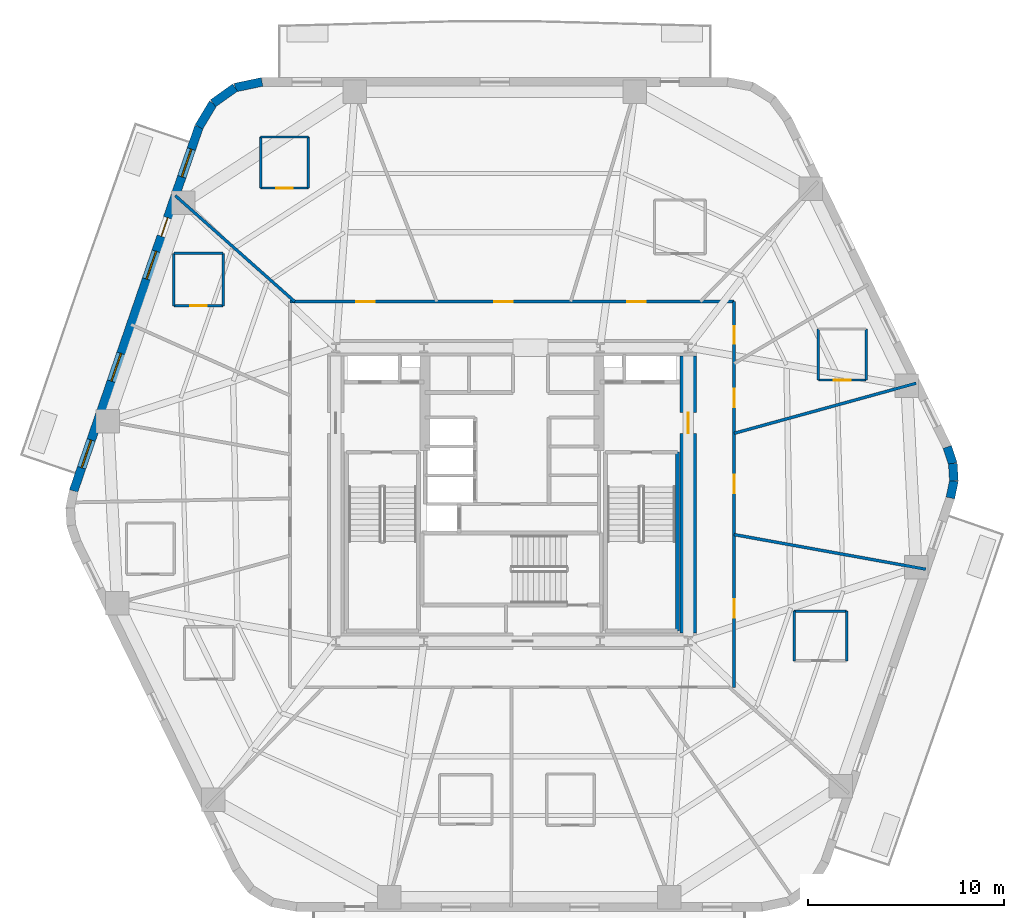
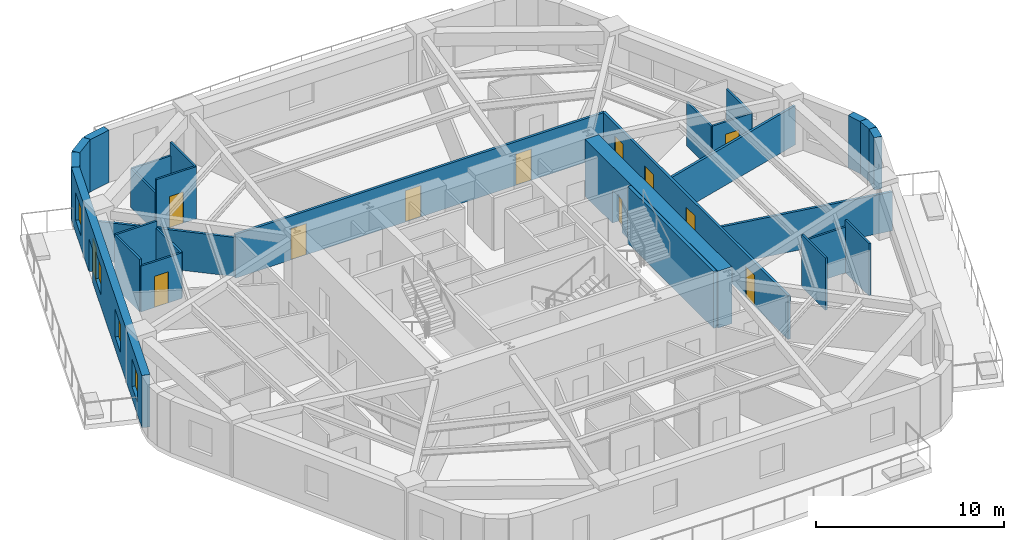
# One storey, part 5 of 8: 28 walls, 12 doors, 4 windows, 16 openings.
"""IFC4 building model written with IfcOpenShell, lengths in metres."""

from ifc_helpers import new_model, si_unit, direction, frame, frame_2d, origin, place, context, subcontext, project, spatial, rectangle, extrude, material, layer, layer_set, type_object, element, fill, save


model = new_model("IFC4")

# Units and contexts
model_context = context("Model", 3, precision=1e-05, world=origin(), true_north=direction((0.0, 1.0)))
body_context = subcontext(model_context, "Body", "Model", "MODEL_VIEW")
ifc_project = project(units=[si_unit("LENGTHUNIT", "METRE"), si_unit("AREAUNIT", "SQUARE_METRE"), si_unit("VOLUMEUNIT", "CUBIC_METRE"), si_unit("PLANEANGLEUNIT", "RADIAN"), si_unit("MASSUNIT", "GRAM", prefix="KILO")], contexts=[model_context])

# Site, building, storey
site_placement = place(None, origin())
site = spatial("IfcSite", under=ifc_project, at=site_placement, CompositionType="ELEMENT")
building_placement = place(site_placement, origin())
building = spatial("IfcBuilding", under=site, at=building_placement, Name="Kilnhurst Terrace Hotel", CompositionType="ELEMENT")
storey_placement = place(building_placement, frame((0.0, 0.0, 102.5)))
storey = spatial("IfcBuildingStorey", under=building, at=storey_placement, Name="L24", CompositionType="ELEMENT", Elevation=102.5)

# Walls
ifc_material_1 = material(Name="Precast concrete C40/50", Category="concrete")
ifc_layer_1 = layer(ifc_material_1, 0.449951171875, Name="Precast concrete C40/50")
ifc_layer_set_1 = layer_set([ifc_layer_1], Name="Precast concrete C40/50")
wall_type_1 = type_object("IfcWallType", Name="WL-BRK-450", PredefinedType="SOLIDWALL", material=ifc_layer_set_1)
wall_1_placement = place(storey_placement, frame((22.39697265625, -0.17919921875, 0.0), z_axis=(0.0, 0.0, 1.0), x_axis=(0.199313589404, 0.979935759669, 0.0)))
element("IfcWall", 1, at=wall_1_placement, inside=storey, type_object=wall_type_1, Name="L24 Rounded Corner Brick Wall C3.1", PredefinedType="SOLIDWALL", context=body_context, shape_type="SweptSolid", body=[
    extrude(rectangle(XDim=0.8955078125, YDim=0.449951171875, at=frame_2d((0.44775390625, 0.0))), origin(), (0.0, 0.0, 1.0), 3.39990234375),
])
wall_2_placement = place(storey_placement, frame((22.575439453125, 0.6982421875, 0.0), z_axis=(0.0, 0.0, 1.0), x_axis=(-0.060980441946, 0.998138961117, 0.0)))
element("IfcWall", 2, at=wall_2_placement, inside=storey, type_object=wall_type_1, Name="L24 Rounded Corner Brick Wall C3.2", PredefinedType="SOLIDWALL", context=body_context, shape_type="SweptSolid", body=[
    extrude(rectangle(XDim=0.880859375, YDim=0.449951171875, at=frame_2d((0.4404296875, 0.0))), origin(), (0.0, 0.0, 1.0), 3.39990234375),
])
wall_3_placement = place(storey_placement, frame((22.521728515625, 1.577392578125, 0.0), z_axis=(0.0, 0.0, 1.0), x_axis=(-0.317372694837, 0.948300887151, 0.0)))
element("IfcWall", 3, at=wall_3_placement, inside=storey, type_object=wall_type_1, Name="L24 Rounded Corner Brick Wall C3.3", PredefinedType="SOLIDWALL", context=body_context, shape_type="SweptSolid", body=[
    extrude(rectangle(XDim=0.8955078125, YDim=0.449951171875, at=frame_2d((0.44775390625, 0.0))), origin(), (0.0, 0.0, 1.0), 3.39990234375),
])
wall_4_placement = place(storey_placement, frame((-12.7705078125, 21.074951171875, 0.0), z_axis=(0.0, 0.0, 1.0), x_axis=(-0.97874281988, -0.205091424819, 0.0)))
element("IfcWall", 4, at=wall_4_placement, inside=storey, type_object=wall_type_1, Name="L24 Rounded Corner Brick Wall C5.1", PredefinedType="SOLIDWALL", context=body_context, shape_type="SweptSolid", body=[
    extrude(rectangle(XDim=1.40576171875, YDim=0.449951171875, at=frame_2d((0.702880859375, 0.0))), origin(), (0.0, 0.0, 1.0), 3.39990234375),
])
wall_5_placement = place(storey_placement, frame((-14.146484375, 20.78662109375, 0.0), z_axis=(0.0, 0.0, 1.0), x_axis=(-0.814162929117, -0.580636482536, 0.0)))
element("IfcWall", 5, at=wall_5_placement, inside=storey, type_object=wall_type_1, Name="L24 Rounded Corner Brick Wall C5.2", PredefinedType="SOLIDWALL", context=body_context, shape_type="SweptSolid", body=[
    extrude(rectangle(XDim=1.382080078125, YDim=0.449951171875, at=frame_2d((0.69091796875, 0.0))), origin(), (0.0, 0.0, 1.0), 3.39990234375),
])
wall_6_placement = place(storey_placement, frame((-15.271728515625, 19.984130859375, 0.0), z_axis=(0.0, 0.0, 1.0), x_axis=(-0.512579347361, -0.858639862025, 0.0)))
element("IfcWall", 6, at=wall_6_placement, inside=storey, type_object=wall_type_1, Name="L24 Rounded Corner Brick Wall C5.3", PredefinedType="SOLIDWALL", context=body_context, shape_type="SweptSolid", body=[
    extrude(rectangle(XDim=1.406005859375, YDim=0.449951171875, at=frame_2d((0.703125, 0.0))), origin(), (0.0, 0.0, 1.0), 3.39990234375),
])

# Wall, openings, door, windows
wall_7_placement = place(storey_placement, frame((-15.992431640625, 18.77685546875, 0.0), z_axis=(0.0, 0.0, 1.0), x_axis=(-0.325606988926, -0.945505202927, 0.0)))
wall_7 = element("IfcWall", 7, at=wall_7_placement, inside=storey, type_object=wall_type_1, Name="L24 Exterior Brick Facade Wall F5", PredefinedType="SOLIDWALL", context=body_context, shape_type="SweptSolid", body=[
    extrude(rectangle(XDim=19.66943359375, YDim=0.449951171875, at=frame_2d((9.834716796875, 0.0))), origin(), (0.0, 0.0, 1.0), 3.39990234375),
])
opening_1_placement = place(wall_7_placement, frame((4.908935546875, 0.0, 0.0)))
opening_1 = element("IfcOpeningElement", 8, at=opening_1_placement, cuts=wall_7, Name="Opening BD-1000", PredefinedType="OPENING", context=body_context, shape_type="SweptSolid", body=[
    extrude(rectangle(XDim=1.0, YDim=2.14990234375, at=frame_2d((0.5, 1.074951171875))), frame((0.0, 0.23486328125, 0.0), z_axis=(0.0, -1.0, 0.0), x_axis=(1.0, 0.0, 0.0)), (0.0, 0.0, 1.0), 0.469970703125),
])
opening_2_placement = place(wall_7_placement, frame((1.197021484375, 0.0, 0.800048828125)))
opening_2 = element("IfcOpeningElement", 9, at=opening_2_placement, cuts=wall_7, Name="Opening W-02", PredefinedType="OPENING", context=body_context, shape_type="SweptSolid", body=[
    extrude(rectangle(XDim=1.5, YDim=1.800048828125, at=frame_2d((0.75, 0.89990234375))), frame((0.0, 0.23486328125, 0.0), z_axis=(0.0, -1.0, 0.0), x_axis=(1.0, 0.0, 0.0)), (0.0, 0.0, 1.0), 0.469970703125),
])
opening_3_placement = place(wall_7_placement, frame((6.719970703125, 0.0, 0.800048828125)))
opening_3 = element("IfcOpeningElement", 10, at=opening_3_placement, cuts=wall_7, Name="Opening W-02", PredefinedType="OPENING", context=body_context, shape_type="SweptSolid", body=[
    extrude(rectangle(XDim=1.5, YDim=1.800048828125, at=frame_2d((0.75, 0.89990234375))), frame((0.0, 0.23486328125, 0.0), z_axis=(0.0, -1.0, 0.0), x_axis=(1.0, 0.0, 0.0)), (0.0, 0.0, 1.0), 0.469970703125),
])
opening_4_placement = place(wall_7_placement, frame((12.238037109375, 0.0, 0.800048828125)))
opening_4 = element("IfcOpeningElement", 11, at=opening_4_placement, cuts=wall_7, Name="Opening W-02", PredefinedType="OPENING", context=body_context, shape_type="SweptSolid", body=[
    extrude(rectangle(XDim=1.5, YDim=1.800048828125, at=frame_2d((0.75, 0.89990234375))), frame((0.0, 0.23486328125, 0.0), z_axis=(0.0, -1.0, 0.0), x_axis=(1.0, 0.0, 0.0)), (0.0, 0.0, 1.0), 0.469970703125),
])
opening_5_placement = place(wall_7_placement, frame((16.91796875, 0.0, 0.800048828125)))
opening_5 = element("IfcOpeningElement", 12, at=opening_5_placement, cuts=wall_7, Name="Opening W-02", PredefinedType="OPENING", context=body_context, shape_type="SweptSolid", body=[
    extrude(rectangle(XDim=1.5, YDim=1.800048828125, at=frame_2d((0.75, 0.89990234375))), frame((0.0, 0.23486328125, 0.0), z_axis=(0.0, -1.0, 0.0), x_axis=(1.0, 0.0, 0.0)), (0.0, 0.0, 1.0), 0.469970703125),
])
ifc_material_2 = material(Name="Thermally Broken Bronze Aluminium Alloy 6063-T6 and Laminated Glass", Category="aluminium")
door_type_1 = type_object("IfcDoorType", Name="DR-EXT-BAL-1000", OperationType="NOTDEFINED", PredefinedType="DOOR", material=ifc_material_2)
door_1_placement = place(opening_1_placement, origin())
door_1 = element("IfcDoor", 13, at=door_1_placement, inside=storey, type_object=door_type_1, Name="L24 Planted Balcony Door BAL-L2B", OperationType="SINGLE_SWING_LEFT", OverallHeight=2.14990234375, OverallWidth=1.0, PredefinedType="DOOR", context=body_context, shape_type="SweptSolid", body=[
    extrude(rectangle(XDim=1.0, YDim=2.14990234375, at=frame_2d((0.5, 1.074951171875))), frame((0.0, 0.02490234375, 0.0), z_axis=(0.0, -1.0, 0.0), x_axis=(1.0, 0.0, 0.0)), (0.0, 0.0, 1.0), 0.050048828125),
])
fill(opening_1, door_1)
ifc_material_3 = material(Name="Thermally Broken Bronze Aluminium Alloy 6063-T6 and Low-E Glass", Category="aluminium")
window_type = type_object("IfcWindowType", Name="WIN-1500X1800", PartitioningType="SINGLE_PANEL", PredefinedType="WINDOW", material=ifc_material_3)
window_1_placement = place(opening_2_placement, origin())
window_1 = element("IfcWindow", 14, at=window_1_placement, inside=storey, type_object=window_type, Name="L24 Deep-Set Masonry Window F5.1", OverallHeight=1.800048828125, OverallWidth=1.5, PartitioningType="SINGLE_PANEL", PredefinedType="WINDOW", context=body_context, shape_type="SweptSolid", body=[
    extrude(rectangle(XDim=1.5, YDim=1.800048828125, at=frame_2d((0.75, 0.89990234375))), frame((0.0, 0.030029296875, 0.0), z_axis=(0.0, -1.0, 0.0), x_axis=(1.0, 0.0, 0.0)), (0.0, 0.0, 1.0), 0.06005859375),
])
fill(opening_2, window_1)
window_2_placement = place(opening_3_placement, origin())
window_2 = element("IfcWindow", 15, at=window_2_placement, inside=storey, type_object=window_type, Name="L24 Deep-Set Masonry Window F5.2", OverallHeight=1.800048828125, OverallWidth=1.5, PartitioningType="SINGLE_PANEL", PredefinedType="WINDOW", context=body_context, shape_type="SweptSolid", body=[
    extrude(rectangle(XDim=1.5, YDim=1.800048828125, at=frame_2d((0.75, 0.89990234375))), frame((0.0, 0.030029296875, 0.0), z_axis=(0.0, -1.0, 0.0), x_axis=(1.0, 0.0, 0.0)), (0.0, 0.0, 1.0), 0.06005859375),
])
fill(opening_3, window_2)
window_3_placement = place(opening_4_placement, origin())
window_3 = element("IfcWindow", 16, at=window_3_placement, inside=storey, type_object=window_type, Name="L24 Deep-Set Masonry Window F5.3", OverallHeight=1.800048828125, OverallWidth=1.5, PartitioningType="SINGLE_PANEL", PredefinedType="WINDOW", context=body_context, shape_type="SweptSolid", body=[
    extrude(rectangle(XDim=1.5, YDim=1.800048828125, at=frame_2d((0.75, 0.89990234375))), frame((0.0, 0.030029296875, 0.0), z_axis=(0.0, -1.0, 0.0), x_axis=(1.0, 0.0, 0.0)), (0.0, 0.0, 1.0), 0.06005859375),
])
fill(opening_4, window_3)
window_4_placement = place(opening_5_placement, origin())
window_4 = element("IfcWindow", 17, at=window_4_placement, inside=storey, type_object=window_type, Name="L24 Deep-Set Masonry Window F5.4", OverallHeight=1.800048828125, OverallWidth=1.5, PartitioningType="SINGLE_PANEL", PredefinedType="WINDOW", context=body_context, shape_type="SweptSolid", body=[
    extrude(rectangle(XDim=1.5, YDim=1.800048828125, at=frame_2d((0.75, 0.89990234375))), frame((0.0, 0.030029296875, 0.0), z_axis=(0.0, -1.0, 0.0), x_axis=(1.0, 0.0, 0.0)), (0.0, 0.0, 1.0), 0.06005859375),
])
fill(opening_5, window_4)

# Wall, openings, doors
ifc_material_4 = material(Name="Acoustic Double-Gypsum Corridor Partition Assembly")
ifc_layer_2 = layer(ifc_material_4, 0.14990234375, Name="Acoustic Double-Gypsum Corridor Partition Assembly")
ifc_layer_set_2 = layer_set([ifc_layer_2], Name="Acoustic Double-Gypsum Corridor Partition Assembly")
wall_type_2 = type_object("IfcWallType", Name="WL-COR-150", PredefinedType="PARTITIONING", material=ifc_layer_set_2)
wall_8_placement = place(storey_placement, frame((-11.35009765625, 9.85009765625, 0.0), z_axis=(0.0, 0.0, 1.0), x_axis=(1.0, 0.0, 0.0)))
wall_8 = element("IfcWall", 18, at=wall_8_placement, inside=storey, type_object=wall_type_2, Name="L24 Interior Wall WL-L24-COR-02", PredefinedType="PARTITIONING", context=body_context, shape_type="SweptSolid", body=[
    extrude(rectangle(XDim=22.7001953125, YDim=0.14990234375, at=frame_2d((11.35009765625, 0.0))), origin(), (0.0, 0.0, 1.0), 2.840087890625),
])
opening_6_placement = place(wall_8_placement, frame((17.237060546875, 0.0, 0.0)))
opening_6 = element("IfcOpeningElement", 19, at=opening_6_placement, cuts=wall_8, Name="Opening D-60B", PredefinedType="OPENING", context=body_context, shape_type="SweptSolid", body=[
    extrude(rectangle(XDim=0.949951171875, YDim=2.030029296875, at=frame_2d((0.47509765625, 1.01513671875))), frame((0.0, 0.0849609375, 0.0), z_axis=(0.0, -1.0, 0.0), x_axis=(1.0, 0.0, 0.0)), (0.0, 0.0, 1.0), 0.169921875),
])
opening_7_placement = place(wall_8_placement, frame((10.449951171875, 0.0, 0.0)))
opening_7 = element("IfcOpeningElement", 20, at=opening_7_placement, cuts=wall_8, Name="Opening D-60B", PredefinedType="OPENING", context=body_context, shape_type="SweptSolid", body=[
    extrude(rectangle(XDim=0.949951171875, YDim=2.030029296875, at=frame_2d((0.47509765625, 1.01513671875))), frame((0.0, 0.0849609375, 0.0), z_axis=(0.0, -1.0, 0.0), x_axis=(1.0, 0.0, 0.0)), (0.0, 0.0, 1.0), 0.169921875),
])
opening_8_placement = place(wall_8_placement, frame((3.39892578125, 0.0, 0.0)))
opening_8 = element("IfcOpeningElement", 21, at=opening_8_placement, cuts=wall_8, Name="Opening D-60B", PredefinedType="OPENING", context=body_context, shape_type="SweptSolid", body=[
    extrude(rectangle(XDim=0.949951171875, YDim=2.030029296875, at=frame_2d((0.47509765625, 1.01513671875))), frame((0.0, 0.0849609375, 0.0), z_axis=(0.0, -1.0, 0.0), x_axis=(1.0, 0.0, 0.0)), (0.0, 0.0, 1.0), 0.169921875),
])
ifc_material_5 = material(Name="Acoustic Walnut Veneer Solid-Core Fire Door")
door_type_2 = type_object("IfcDoorType", Name="DR-FD60-950", OperationType="NOTDEFINED", PredefinedType="DOOR", material=ifc_material_5)
door_2_placement = place(opening_6_placement, origin())
door_2 = element("IfcDoor", 22, at=door_2_placement, inside=storey, type_object=door_type_2, Name="L24 Executive Suite Entry Door 3", OperationType="SINGLE_SWING_LEFT", OverallHeight=2.030029296875, OverallWidth=0.949951171875, PredefinedType="DOOR", context=body_context, shape_type="SweptSolid", body=[
    extrude(rectangle(XDim=0.949951171875, YDim=2.030029296875, at=frame_2d((0.47509765625, 1.01513671875))), frame((0.0, 0.02490234375, 0.0), z_axis=(0.0, -1.0, 0.0), x_axis=(1.0, 0.0, 0.0)), (0.0, 0.0, 1.0), 0.050048828125),
])
fill(opening_6, door_2)
door_3_placement = place(opening_7_placement, origin())
door_3 = element("IfcDoor", 23, at=door_3_placement, inside=storey, type_object=door_type_2, Name="L24 Executive Boardroom Door", OperationType="SINGLE_SWING_RIGHT", OverallHeight=2.030029296875, OverallWidth=0.949951171875, PredefinedType="DOOR", context=body_context, shape_type="SweptSolid", body=[
    extrude(rectangle(XDim=0.949951171875, YDim=2.030029296875, at=frame_2d((0.47509765625, 1.01513671875))), frame((0.0, 0.02490234375, 0.0), z_axis=(0.0, -1.0, 0.0), x_axis=(1.0, 0.0, 0.0)), (0.0, 0.0, 1.0), 0.050048828125),
])
fill(opening_7, door_3)
door_4_placement = place(opening_8_placement, origin())
door_4 = element("IfcDoor", 24, at=door_4_placement, inside=storey, type_object=door_type_2, Name="L24 Executive Suite Entry Door 5", OperationType="SINGLE_SWING_LEFT", OverallHeight=2.030029296875, OverallWidth=0.949951171875, PredefinedType="DOOR", context=body_context, shape_type="SweptSolid", body=[
    extrude(rectangle(XDim=0.949951171875, YDim=2.030029296875, at=frame_2d((0.47509765625, 1.01513671875))), frame((0.0, 0.02490234375, 0.0), z_axis=(0.0, -1.0, 0.0), x_axis=(1.0, 0.0, 0.0)), (0.0, 0.0, 1.0), 0.050048828125),
])
fill(opening_8, door_4)

wall_9_placement = place(storey_placement, frame((11.35009765625, 9.85009765625, 0.0), z_axis=(0.0, 0.0, 1.0), x_axis=(0.0, -1.0, 0.0)))
wall_9 = element("IfcWall", 25, at=wall_9_placement, inside=storey, type_object=wall_type_2, Name="L24 Interior Wall WL-L24-COR-03", PredefinedType="PARTITIONING", context=body_context, shape_type="SweptSolid", body=[
    extrude(rectangle(XDim=19.7001953125, YDim=0.14990234375, at=frame_2d((9.85009765625, 0.0))), origin(), (0.0, 0.0, 1.0), 2.840087890625),
])
opening_9_placement = place(wall_9_placement, frame((4.447998046875, 0.0, 0.0)))
opening_9 = element("IfcOpeningElement", 26, at=opening_9_placement, cuts=wall_9, Name="Opening D-60B", PredefinedType="OPENING", context=body_context, shape_type="SweptSolid", body=[
    extrude(rectangle(XDim=0.949951171875, YDim=2.030029296875, at=frame_2d((0.47509765625, 1.01513671875))), frame((0.0, 0.0849609375, 0.0), z_axis=(0.0, -1.0, 0.0), x_axis=(1.0, 0.0, 0.0)), (0.0, 0.0, 1.0), 0.169921875),
])
opening_10_placement = place(wall_9_placement, frame((1.2490234375, 0.0, 0.0)))
opening_10 = element("IfcOpeningElement", 27, at=opening_10_placement, cuts=wall_9, Name="Opening D-60C", PredefinedType="OPENING", context=body_context, shape_type="SweptSolid", body=[
    extrude(rectangle(XDim=0.89990234375, YDim=2.030029296875, at=frame_2d((0.449951171875, 1.01513671875))), frame((0.0, 0.0849609375, 0.0), z_axis=(0.0, -1.0, 0.0), x_axis=(1.0, 0.0, 0.0)), (0.0, 0.0, 1.0), 0.169921875),
])
opening_11_placement = place(wall_9_placement, frame((15.205078125, 0.0, 0.0)))
opening_11 = element("IfcOpeningElement", 28, at=opening_11_placement, cuts=wall_9, Name="Opening D-60B", PredefinedType="OPENING", context=body_context, shape_type="SweptSolid", body=[
    extrude(rectangle(XDim=0.949951171875, YDim=2.030029296875, at=frame_2d((0.47509765625, 1.01513671875))), frame((0.0, 0.0849609375, 0.0), z_axis=(0.0, -1.0, 0.0), x_axis=(1.0, 0.0, 0.0)), (0.0, 0.0, 1.0), 0.169921875),
])
opening_12_placement = place(wall_9_placement, frame((8.8359375, 0.0, 0.0)))
opening_12 = element("IfcOpeningElement", 29, at=opening_12_placement, cuts=wall_9, Name="Opening D-60B", PredefinedType="OPENING", context=body_context, shape_type="SweptSolid", body=[
    extrude(rectangle(XDim=0.949951171875, YDim=2.030029296875, at=frame_2d((0.47509765625, 1.01513671875))), frame((0.0, 0.0849609375, 0.0), z_axis=(0.0, -1.0, 0.0), x_axis=(1.0, 0.0, 0.0)), (0.0, 0.0, 1.0), 0.169921875),
])
ifc_material_6 = material(Name="Painted Solid-Core Service Fire Door")
door_type_3 = type_object("IfcDoorType", Name="DR-FD60-900", OperationType="NOTDEFINED", PredefinedType="DOOR", material=ifc_material_6)
door_5_placement = place(opening_10_placement, origin())
door_5 = element("IfcDoor", 30, at=door_5_placement, inside=storey, type_object=door_type_3, Name="L24 Private Study Salon Door 2", OperationType="SINGLE_SWING_RIGHT", OverallHeight=2.030029296875, OverallWidth=0.89990234375, PredefinedType="DOOR", context=body_context, shape_type="SweptSolid", body=[
    extrude(rectangle(XDim=0.89990234375, YDim=2.030029296875, at=frame_2d((0.449951171875, 1.01513671875))), frame((0.0, 0.02490234375, 0.0), z_axis=(0.0, -1.0, 0.0), x_axis=(1.0, 0.0, 0.0)), (0.0, 0.0, 1.0), 0.050048828125),
])
fill(opening_10, door_5)
door_6_placement = place(opening_9_placement, origin())
door_6 = element("IfcDoor", 31, at=door_6_placement, inside=storey, type_object=door_type_2, Name="L24 Guest Room Entry Door 1", OperationType="SINGLE_SWING_LEFT", OverallHeight=2.030029296875, OverallWidth=0.949951171875, PredefinedType="DOOR", context=body_context, shape_type="SweptSolid", body=[
    extrude(rectangle(XDim=0.949951171875, YDim=2.030029296875, at=frame_2d((0.47509765625, 1.01513671875))), frame((0.0, 0.02490234375, 0.0), z_axis=(0.0, -1.0, 0.0), x_axis=(1.0, 0.0, 0.0)), (0.0, 0.0, 1.0), 0.050048828125),
])
fill(opening_9, door_6)
door_7_placement = place(opening_11_placement, origin())
door_7 = element("IfcDoor", 32, at=door_7_placement, inside=storey, type_object=door_type_2, Name="L24 Executive Suite Entry Door 16", OperationType="SINGLE_SWING_RIGHT", OverallHeight=2.030029296875, OverallWidth=0.949951171875, PredefinedType="DOOR", context=body_context, shape_type="SweptSolid", body=[
    extrude(rectangle(XDim=0.949951171875, YDim=2.030029296875, at=frame_2d((0.47509765625, 1.01513671875))), frame((0.0, 0.02490234375, 0.0), z_axis=(0.0, -1.0, 0.0), x_axis=(1.0, 0.0, 0.0)), (0.0, 0.0, 1.0), 0.050048828125),
])
fill(opening_11, door_7)
door_8_placement = place(opening_12_placement, origin())
door_8 = element("IfcDoor", 33, at=door_8_placement, inside=storey, type_object=door_type_2, Name="L24 Private Dining Room Door", OperationType="SINGLE_SWING_LEFT", OverallHeight=2.030029296875, OverallWidth=0.949951171875, PredefinedType="DOOR", context=body_context, shape_type="SweptSolid", body=[
    extrude(rectangle(XDim=0.949951171875, YDim=2.030029296875, at=frame_2d((0.47509765625, 1.01513671875))), frame((0.0, 0.02490234375, 0.0), z_axis=(0.0, -1.0, 0.0), x_axis=(1.0, 0.0, 0.0)), (0.0, 0.0, 1.0), 0.050048828125),
])
fill(opening_12, door_8)

# Wall, opening, door
ifc_material_7 = material(Name="Concrete C80/95", Category="concrete")
ifc_layer_3 = layer(ifc_material_7, 0.85009765625, Name="Concrete C80/95")
ifc_layer_set_3 = layer_set([ifc_layer_3], Name="Concrete C80/95")
wall_type_3 = type_object("IfcWallType", Name="WL-CORE-850", PredefinedType="SHEAR", material=ifc_layer_set_3)
wall_10_placement = place(storey_placement, frame((9.0, -7.074951171875, 0.0), z_axis=(0.0, 0.0, 1.0), x_axis=(0.0, 1.0, 0.0)))
wall_10 = element("IfcWall", 34, at=wall_10_placement, inside=storey, type_object=wall_type_3, Name="L24 Core East Shear Wall", PredefinedType="SHEAR", context=body_context, shape_type="SweptSolid", body=[
    extrude(rectangle(XDim=14.14990234375, YDim=0.85009765625, at=frame_2d((7.074951171875, 0.0))), origin(), (0.0, 0.0, 1.0), 3.699951171875),
])
opening_13_placement = place(wall_10_placement, frame((10.199951171875, 0.0, 0.0)))
opening_13 = element("IfcOpeningElement", 35, at=opening_13_placement, cuts=wall_10, Name="Opening D-90A", PredefinedType="OPENING", context=body_context, shape_type="SweptSolid", body=[
    extrude(rectangle(XDim=1.050048828125, YDim=2.14990234375, at=frame_2d((0.52490234375, 1.074951171875))), frame((0.0, 0.43505859375, 0.0), z_axis=(0.0, -1.0, 0.0), x_axis=(1.0, 0.0, 0.0)), (0.0, 0.0, 1.0), 0.8701171875),
])
ifc_material_8 = material(Name="Painted Hollow Metal Steel ASTM A36 Fire Door", Category="steel")
door_type_4 = type_object("IfcDoorType", Name="DR-FD90-1050", OperationType="NOTDEFINED", PredefinedType="DOOR", material=ifc_material_8)
door_9_placement = place(opening_13_placement, origin())
door_9 = element("IfcDoor", 36, at=door_9_placement, inside=storey, type_object=door_type_4, Name="L24 East Firefighting Lobby Door", OperationType="SINGLE_SWING_LEFT", OverallHeight=2.14990234375, OverallWidth=1.050048828125, PredefinedType="DOOR", context=body_context, shape_type="SweptSolid", body=[
    extrude(rectangle(XDim=1.050048828125, YDim=2.14990234375, at=frame_2d((0.52490234375, 1.074951171875))), frame((0.0, 0.02490234375, 0.0), z_axis=(0.0, -1.0, 0.0), x_axis=(1.0, 0.0, 0.0)), (0.0, 0.0, 1.0), 0.050048828125),
])
fill(opening_13, door_9)

# Walls
ifc_material_9 = material(Name="STC-58 Acoustic Twin-Frame Guestroom Demising Partition")
ifc_layer_4 = layer(ifc_material_9, 0.14990234375, Name="STC-58 Acoustic Twin-Frame Guestroom Demising Partition")
ifc_layer_set_4 = layer_set([ifc_layer_4], Name="STC-58 Acoustic Twin-Frame Guestroom Demising Partition")
wall_type_4 = type_object("IfcWallType", Name="WL-DEM-150", PredefinedType="PARTITIONING", material=ifc_layer_set_4)
wall_11_placement = place(storey_placement, frame((11.35009765625, 3.123291015625, 0.0), z_axis=(0.0, 0.0, 1.0), x_axis=(0.964151983214, 0.265350623261, 0.0)))
element("IfcWall", 37, at=wall_11_placement, inside=storey, type_object=wall_type_4, Name="L24 Interior Wall WL-L24-DEM-COL01-01-1", PredefinedType="PARTITIONING", context=body_context, shape_type="SweptSolid", body=[
    extrude(rectangle(XDim=9.64501953125, YDim=0.14990234375, at=frame_2d((4.822509765625, 0.0))), origin(), (0.0, 0.0, 1.0), 2.5400390625),
])
wall_12_placement = place(storey_placement, frame((-11.097900390625, 9.85009765625, 0.0), z_axis=(0.0, 0.0, 1.0), x_axis=(-0.747904295103, 0.663806572253, 0.0)))
element("IfcWall", 38, at=wall_12_placement, inside=storey, type_object=wall_type_4, Name="L24 Interior Wall WL-L24-DEM-COL05-06-1", PredefinedType="PARTITIONING", context=body_context, shape_type="SweptSolid", body=[
    extrude(rectangle(XDim=8.160400390625, YDim=0.14990234375, at=frame_2d((4.080078125, 0.0))), origin(), (0.0, 0.0, 1.0), 2.5400390625),
])
wall_13_placement = place(storey_placement, frame((11.35009765625, -2.05078125, 0.0), z_axis=(0.0, 0.0, 1.0), x_axis=(0.984068313063, -0.177790762484, 0.0)))
element("IfcWall", 39, at=wall_13_placement, inside=storey, type_object=wall_type_4, Name="L24 Interior Wall WL-L24-DEM-COL12-17-1", PredefinedType="PARTITIONING", context=body_context, shape_type="SweptSolid", body=[
    extrude(rectangle(XDim=9.951416015625, YDim=0.14990234375, at=frame_2d((4.9755859375, 0.0))), origin(), (0.0, 0.0, 1.0), 2.5400390625),
])

# Wall, opening, door
ifc_material_10 = material(Name="120 mm Moisture-Resistant Tile-Backed Bathroom Partition")
ifc_layer_5 = layer(ifc_material_10, 0.1201171875, Name="120 mm Moisture-Resistant Tile-Backed Bathroom Partition")
ifc_layer_set_5 = layer_set([ifc_layer_5], Name="120 mm Moisture-Resistant Tile-Backed Bathroom Partition")
wall_type_5 = type_object("IfcWallType", Name="WL-PART-120", PredefinedType="PARTITIONING", material=ifc_layer_set_5)
wall_14_placement = place(storey_placement, frame((15.654052734375, 5.845947265625, 0.0), z_axis=(0.0, 0.0, 1.0), x_axis=(1.0, 0.0, 0.0)))
wall_14 = element("IfcWall", 40, at=wall_14_placement, inside=storey, type_object=wall_type_5, Name="L24 Interior Wall WL-L24-BTH-01-1", PredefinedType="PARTITIONING", context=body_context, shape_type="SweptSolid", body=[
    extrude(rectangle(XDim=2.43994140625, YDim=0.1201171875, at=frame_2d((1.219970703125, 0.0))), origin(), (0.0, 0.0, 1.0), 2.840087890625),
])
opening_14_placement = place(wall_14_placement, frame((0.794921875, 0.0, 0.0)))
opening_14 = element("IfcOpeningElement", 41, at=opening_14_placement, cuts=wall_14, Name="Opening D-08A", PredefinedType="OPENING", context=body_context, shape_type="SweptSolid", body=[
    extrude(rectangle(XDim=0.85009765625, YDim=2.030029296875, at=frame_2d((0.425048828125, 1.01513671875))), frame((0.0, 0.070068359375, 0.0), z_axis=(0.0, -1.0, 0.0), x_axis=(1.0, 0.0, 0.0)), (0.0, 0.0, 1.0), 0.14013671875),
])
ifc_material_11 = material(Name="Moisture-Resistant Lacquered En-suite Bathroom Door")
door_type_5 = type_object("IfcDoorType", Name="DR-INT-850", OperationType="NOTDEFINED", PredefinedType="DOOR", material=ifc_material_11)
door_10_placement = place(opening_14_placement, origin())
door_10 = element("IfcDoor", 42, at=door_10_placement, inside=storey, type_object=door_type_5, Name="L24 En-suite Bathroom Door 1", OperationType="SINGLE_SWING_RIGHT", OverallHeight=2.030029296875, OverallWidth=0.85009765625, PredefinedType="DOOR", context=body_context, shape_type="SweptSolid", body=[
    extrude(rectangle(XDim=0.85009765625, YDim=2.030029296875, at=frame_2d((0.425048828125, 1.01513671875))), frame((0.0, 0.02490234375, 0.0), z_axis=(0.0, -1.0, 0.0), x_axis=(1.0, 0.0, 0.0)), (0.0, 0.0, 1.0), 0.050048828125),
])
fill(opening_14, door_10)

# Walls
for number, where, z_axis, x_axis, name in (
    (43, (18.093994140625, 5.845947265625, 0.0), (0.0, 0.0, 1.0), (0.0, 1.0, 0.0), "L24 Interior Wall WL-L24-BTH-01-2"),
    (44, (15.654052734375, 8.4560546875, 0.0), (0.0, 0.0, 1.0), (0.0, -1.0, 0.0), "L24 Interior Wall WL-L24-BTH-01-4"),
):
    element("IfcWall", number, at=place(storey_placement, frame(where, z_axis=z_axis, x_axis=x_axis)), inside=storey, type_object=wall_type_5, Name=name, PredefinedType="PARTITIONING", context=body_context, shape_type="SweptSolid", body=[
        extrude(rectangle(XDim=2.610107421875, YDim=0.1201171875, at=frame_2d((1.30517578125, 0.0))), origin(), (0.0, 0.0, 1.0), 2.840087890625),
    ])

# Wall, opening, door
wall_15_placement = place(storey_placement, frame((-12.844970703125, 15.655029296875, 0.0), z_axis=(0.0, 0.0, 1.0), x_axis=(1.0, 0.0, 0.0)))
wall_15 = element("IfcWall", 45, at=wall_15_placement, inside=storey, type_object=wall_type_5, Name="L24 Interior Wall WL-L24-BTH-05-1", PredefinedType="PARTITIONING", context=body_context, shape_type="SweptSolid", body=[
    extrude(rectangle(XDim=2.43994140625, YDim=0.1201171875, at=frame_2d((1.219970703125, 0.0))), origin(), (0.0, 0.0, 1.0), 3.39990234375),
])
opening_15_placement = place(wall_15_placement, frame((0.794921875, 0.0, 0.0)))
opening_15 = element("IfcOpeningElement", 46, at=opening_15_placement, cuts=wall_15, Name="Opening D-08A", PredefinedType="OPENING", context=body_context, shape_type="SweptSolid", body=[
    extrude(rectangle(XDim=0.85009765625, YDim=2.030029296875, at=frame_2d((0.425048828125, 1.01513671875))), frame((0.0, 0.070068359375, 0.0), z_axis=(0.0, -1.0, 0.0), x_axis=(1.0, 0.0, 0.0)), (0.0, 0.0, 1.0), 0.14013671875),
])
door_11_placement = place(opening_15_placement, origin())
door_11 = element("IfcDoor", 47, at=door_11_placement, inside=storey, type_object=door_type_5, Name="L24 En-suite Bathroom Door 5", OperationType="SINGLE_SWING_RIGHT", OverallHeight=2.030029296875, OverallWidth=0.85009765625, PredefinedType="DOOR", context=body_context, shape_type="SweptSolid", body=[
    extrude(rectangle(XDim=0.85009765625, YDim=2.030029296875, at=frame_2d((0.425048828125, 1.01513671875))), frame((0.0, 0.02490234375, 0.0), z_axis=(0.0, -1.0, 0.0), x_axis=(1.0, 0.0, 0.0)), (0.0, 0.0, 1.0), 0.050048828125),
])
fill(opening_15, door_11)

# Walls
wall_16_placement = place(storey_placement, frame((-10.405029296875, 15.655029296875, 0.0), z_axis=(0.0, 0.0, 1.0), x_axis=(0.0, 1.0, 0.0)))
element("IfcWall", 48, at=wall_16_placement, inside=storey, type_object=wall_type_5, Name="L24 Interior Wall WL-L24-BTH-05-2", PredefinedType="PARTITIONING", context=body_context, shape_type="SweptSolid", body=[
    extrude(rectangle(XDim=2.60986328125, YDim=0.1201171875, at=frame_2d((1.304931640625, 0.0))), origin(), (0.0, 0.0, 1.0), 3.39990234375),
])
wall_17_placement = place(storey_placement, frame((-10.405029296875, 18.264892578125, 0.0), z_axis=(0.0, 0.0, 1.0), x_axis=(-1.0, 0.0, 0.0)))
element("IfcWall", 49, at=wall_17_placement, inside=storey, type_object=wall_type_5, Name="L24 Interior Wall WL-L24-BTH-05-3", PredefinedType="PARTITIONING", context=body_context, shape_type="SweptSolid", body=[
    extrude(rectangle(XDim=2.43994140625, YDim=0.1201171875, at=frame_2d((1.219970703125, 0.0))), origin(), (0.0, 0.0, 1.0), 2.5400390625),
])
wall_18_placement = place(storey_placement, frame((-12.844970703125, 18.264892578125, 0.0), z_axis=(0.0, 0.0, 1.0), x_axis=(0.0, -1.0, 0.0)))
element("IfcWall", 50, at=wall_18_placement, inside=storey, type_object=wall_type_5, Name="L24 Interior Wall WL-L24-BTH-05-4", PredefinedType="PARTITIONING", context=body_context, shape_type="SweptSolid", body=[
    extrude(rectangle(XDim=2.60986328125, YDim=0.1201171875, at=frame_2d((1.304931640625, 0.0))), origin(), (0.0, 0.0, 1.0), 2.5400390625),
])

# Wall, opening, door
wall_19_placement = place(storey_placement, frame((-17.27392578125, 9.639892578125, 0.0), z_axis=(0.0, 0.0, 1.0), x_axis=(1.0, 0.0, 0.0)))
wall_19 = element("IfcWall", 51, at=wall_19_placement, inside=storey, type_object=wall_type_5, Name="L24 Interior Wall WL-L24-BTH-06-1", PredefinedType="PARTITIONING", context=body_context, shape_type="SweptSolid", body=[
    extrude(rectangle(XDim=2.52001953125, YDim=0.1201171875, at=frame_2d((1.260009765625, 0.0))), origin(), (0.0, 0.0, 1.0), 2.972412109375),
])
opening_16_placement = place(wall_19_placement, frame((0.8349609375, 0.0, 0.0)))
opening_16 = element("IfcOpeningElement", 52, at=opening_16_placement, cuts=wall_19, Name="Opening D-08A", PredefinedType="OPENING", context=body_context, shape_type="SweptSolid", body=[
    extrude(rectangle(XDim=0.85009765625, YDim=2.030029296875, at=frame_2d((0.425048828125, 1.01513671875))), frame((0.0, 0.070068359375, 0.0), z_axis=(0.0, -1.0, 0.0), x_axis=(1.0, 0.0, 0.0)), (0.0, 0.0, 1.0), 0.14013671875),
])
door_12_placement = place(opening_16_placement, origin())
door_12 = element("IfcDoor", 53, at=door_12_placement, inside=storey, type_object=door_type_5, Name="L24 En-suite Bathroom Door 6", OperationType="SINGLE_SWING_LEFT", OverallHeight=2.030029296875, OverallWidth=0.85009765625, PredefinedType="DOOR", context=body_context, shape_type="SweptSolid", body=[
    extrude(rectangle(XDim=0.85009765625, YDim=2.030029296875, at=frame_2d((0.425048828125, 1.01513671875))), frame((0.0, 0.02490234375, 0.0), z_axis=(0.0, -1.0, 0.0), x_axis=(1.0, 0.0, 0.0)), (0.0, 0.0, 1.0), 0.050048828125),
])
fill(opening_16, door_12)

# Walls
wall_20_placement = place(storey_placement, frame((-14.75390625, 9.639892578125, 0.0), z_axis=(0.0, 0.0, 1.0), x_axis=(0.0, 1.0, 0.0)))
element("IfcWall", 54, at=wall_20_placement, inside=storey, type_object=wall_type_5, Name="L24 Interior Wall WL-L24-BTH-06-2", PredefinedType="PARTITIONING", context=body_context, shape_type="SweptSolid", body=[
    extrude(rectangle(XDim=2.68017578125, YDim=0.1201171875, at=frame_2d((1.340087890625, 0.0))), origin(), (0.0, 0.0, 1.0), 2.972412109375),
])
wall_21_placement = place(storey_placement, frame((-14.75390625, 12.320068359375, 0.0), z_axis=(0.0, 0.0, 1.0), x_axis=(-1.0, 0.0, 0.0)))
element("IfcWall", 55, at=wall_21_placement, inside=storey, type_object=wall_type_5, Name="L24 Interior Wall WL-L24-BTH-06-3", PredefinedType="PARTITIONING", context=body_context, shape_type="SweptSolid", body=[
    extrude(rectangle(XDim=2.52001953125, YDim=0.1201171875, at=frame_2d((1.260009765625, 0.0))), origin(), (0.0, 0.0, 1.0), 3.39990234375),
])
wall_22_placement = place(storey_placement, frame((-17.27392578125, 12.320068359375, 0.0), z_axis=(0.0, 0.0, 1.0), x_axis=(0.0, -1.0, 0.0)))
element("IfcWall", 56, at=wall_22_placement, inside=storey, type_object=wall_type_5, Name="L24 Interior Wall WL-L24-BTH-06-4", PredefinedType="PARTITIONING", context=body_context, shape_type="SweptSolid", body=[
    extrude(rectangle(XDim=2.68017578125, YDim=0.1201171875, at=frame_2d((1.340087890625, 0.0))), origin(), (0.0, 0.0, 1.0), 3.39990234375),
])
wall_23_placement = place(storey_placement, frame((17.093994140625, -8.5, 0.0), z_axis=(0.0, 0.0, 1.0), x_axis=(0.0, 1.0, 0.0)))
element("IfcWall", 57, at=wall_23_placement, inside=storey, type_object=wall_type_5, Name="L24 Interior Wall WL-L24-BTH-16-2", PredefinedType="PARTITIONING", context=body_context, shape_type="SweptSolid", body=[
    extrude(rectangle(XDim=2.5400390625, YDim=0.1201171875, at=frame_2d((1.27001953125, 0.0))), origin(), (0.0, 0.0, 1.0), 3.39990234375),
])
wall_24_placement = place(storey_placement, frame((17.093994140625, -5.9599609375, 0.0), z_axis=(0.0, 0.0, 1.0), x_axis=(-1.0, 0.0, 0.0)))
element("IfcWall", 58, at=wall_24_placement, inside=storey, type_object=wall_type_5, Name="L24 Interior Wall WL-L24-BTH-16-3", PredefinedType="PARTITIONING", context=body_context, shape_type="SweptSolid", body=[
    extrude(rectangle(XDim=2.679931640625, YDim=0.1201171875, at=frame_2d((1.33984375, 0.0))), origin(), (0.0, 0.0, 1.0), 2.972412109375),
])
wall_25_placement = place(storey_placement, frame((14.4140625, -5.9599609375, 0.0), z_axis=(0.0, 0.0, 1.0), x_axis=(0.0, -1.0, 0.0)))
element("IfcWall", 59, at=wall_25_placement, inside=storey, type_object=wall_type_5, Name="L24 Interior Wall WL-L24-BTH-16-4", PredefinedType="PARTITIONING", context=body_context, shape_type="SweptSolid", body=[
    extrude(rectangle(XDim=2.5400390625, YDim=0.1201171875, at=frame_2d((1.27001953125, 0.0))), origin(), (0.0, 0.0, 1.0), 3.39990234375),
])
ifc_material_12 = material(Name="Concrete C50/60", Category="concrete")
ifc_layer_6 = layer(ifc_material_12, 0.199951171875, Name="Concrete C50/60")
ifc_layer_set_6 = layer_set([ifc_layer_6], Name="Concrete C50/60")
wall_type_6 = type_object("IfcWallType", Name="WL-STAIR-RC-200", PredefinedType="SHEAR", material=ifc_layer_set_6)
wall_26_placement = place(storey_placement, frame((8.4580078125, -6.985107421875, 0.0), z_axis=(0.0, 0.0, 1.0), x_axis=(0.0, 1.0, 0.0)))
element("IfcWall", 60, at=wall_26_placement, inside=storey, type_object=wall_type_6, Name="L24 Structural Stair Shaft Wall WL-L24-ST2-E", PredefinedType="SHEAR", context=body_context, shape_type="SweptSolid", body=[
    extrude(rectangle(XDim=9.14306640625, YDim=0.199951171875, at=frame_2d((4.571533203125, 0.0))), origin(), (0.0, 0.0, 1.0), 3.699951171875),
])

save(model, "model.ifc")
